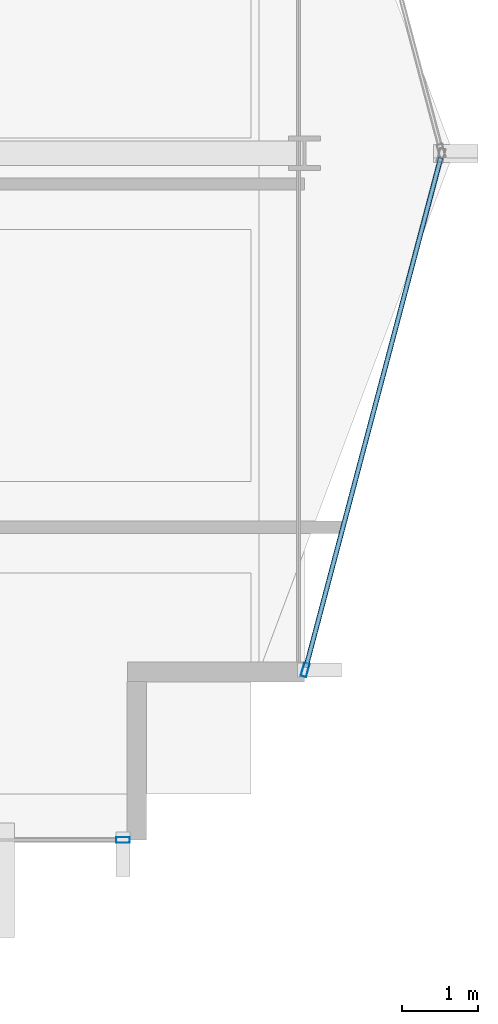
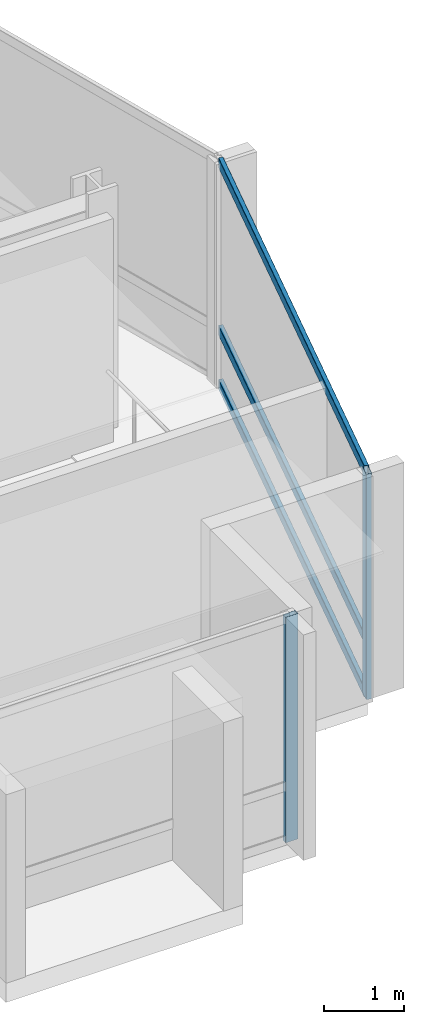
# One storey, part 11 of 29: 5 members, 2 elements without a shape of their own.
"""IFC4 building model written with IfcOpenShell, lengths in metres."""

from ifc_helpers import new_model, si_unit, direction, frame, origin, origin_2d, place, context, subcontext, project, spatial, hollow_rectangle, extrude, material, layer, layer_set, material_profile, profile_set, type_object, element, aggregate, save


model = new_model("IFC4")

# Units and contexts
model_context = context("Model", 3, precision=1e-05, world=origin(), true_north=direction((0.0, 1.0)))
body_context = subcontext(model_context, "Body", "Model", "MODEL_VIEW")
ifc_project = project(units=[si_unit("LENGTHUNIT", "METRE"), si_unit("AREAUNIT", "SQUARE_METRE"), si_unit("VOLUMEUNIT", "CUBIC_METRE"), si_unit("PLANEANGLEUNIT", "RADIAN"), si_unit("MASSUNIT", "GRAM", prefix="KILO")], contexts=[model_context])

# Site, building, storey
site_placement = place(None, origin())
site = spatial("IfcSite", under=ifc_project, at=site_placement, CompositionType="ELEMENT")
building_placement = place(site_placement, origin())
building = spatial("IfcBuilding", under=site, at=building_placement, Name="Solvaryn Broadcast Tower", CompositionType="ELEMENT")
storey_placement = place(building_placement, frame((0.0, 0.0, 121.10009765625)))
storey = spatial("IfcBuildingStorey", under=building, at=storey_placement, Name="L29", CompositionType="ELEMENT", Elevation=121.10009765625)

# Curtain wall, member
ifc_material_1 = material(Name="Aluminium and Terracotta Unitised Curtain Wall", Category="masonry")
ifc_layer = layer(ifc_material_1, 0.199951171875)
ifc_layer_set = layer_set([ifc_layer], Name="CW-SYS2-LOWMID")
curtain_wall_type = type_object("IfcCurtainWallType", Name="CW-SYS2-LOWMID", PredefinedType="NOTDEFINED", material=ifc_layer_set)
curtain_wall_1_placement = place(storey_placement, origin())
curtain_wall_1 = element("IfcCurtainWall", 1, at=curtain_wall_1_placement, inside=storey, type_object=curtain_wall_type, Name="L29 Curtain Wall S2", PredefinedType="NOTDEFINED")
ifc_material_2 = material(Name="Anodised Aluminium 6063-T6", Category="aluminium")
ifc_material_profile_1 = material_profile(ifc_material_2, hollow_rectangle(XDim=0.074951171875, YDim=0.179931640625, WallThickness=0.00390625, InnerFilletRadius=0.00390625, OuterFilletRadius=0.008056640625, at=origin_2d()))
ifc_profile_set_1 = profile_set([ifc_material_profile_1], Name="Anodised Aluminium 6063-T6")
member_type_1 = type_object("IfcMemberType", Name="CW-MUL-180", PredefinedType="MULLION", material=ifc_profile_set_1)
member_1_placement = place(storey_placement, frame((51.6201171875, 9.0, 0.0), z_axis=(0.0, 0.0, 1.0), x_axis=(0.0, 1.0, 0.0)))
member_1 = element("IfcMember", 2, at=member_1_placement, type_object=member_type_1, Name="CWS2 mullion 2", PredefinedType="MULLION", context=body_context, shape_type="SweptSolid", body=[
    extrude(hollow_rectangle(XDim=0.074951171875, YDim=0.179931640625, WallThickness=0.00390625, InnerFilletRadius=0.00390625, OuterFilletRadius=0.008056640625, at=origin_2d()), origin(), (0.0, 0.0, 1.0), 3.419921875),
])
aggregate(curtain_wall_1, [member_1])

# Curtain wall, members
curtain_wall_2_placement = place(storey_placement, origin())
curtain_wall_2 = element("IfcCurtainWall", 3, at=curtain_wall_2_placement, inside=storey, type_object=curtain_wall_type, Name="L29 Curtain Wall ET2", PredefinedType="NOTDEFINED")
member_2_placement = place(storey_placement, frame((54.007568359375, 11.22900390625, 0.0), z_axis=(0.0, 0.0, 1.0), x_axis=(0.966705227863, -0.25589256031, 0.0)))
member_2 = element("IfcMember", 4, at=member_2_placement, type_object=member_type_1, Name="CWS2 mullion 2", PredefinedType="MULLION", context=body_context, shape_type="SweptSolid", body=[
    extrude(hollow_rectangle(XDim=0.074951171875, YDim=0.179931640625, WallThickness=0.00390625, InnerFilletRadius=0.00390625, OuterFilletRadius=0.008056640625, at=origin_2d()), origin(), (0.0, 0.0, 1.0), 3.419921875),
])
ifc_material_3 = material(Name="Anodised Aluminium 6063-T6", Category="aluminium")
ifc_material_profile_2 = material_profile(ifc_material_3, hollow_rectangle(XDim=0.06494140625, YDim=0.14990234375, WallThickness=0.00390625, InnerFilletRadius=0.00390625, OuterFilletRadius=0.008056640625, at=origin_2d()))
ifc_profile_set_2 = profile_set([ifc_material_profile_2], Name="Anodised Aluminium 6063-T6")
member_type_2 = type_object("IfcMemberType", Name="CW-TRN-150", PredefinedType="USERDEFINED", material=ifc_profile_set_2)
member_3_placement = place(storey_placement, frame((55.78466796875, 17.94189453125, 0.02978515625), z_axis=(-0.255897413051, -0.966703943301, 0.0), x_axis=(0.966703943301, -0.255897413051, 0.0)))
member_3 = element("IfcMember", 5, at=member_3_placement, type_object=member_type_2, Name="CWS2 transom 1.1", ObjectType="TRANSOM", PredefinedType="USERDEFINED", context=body_context, shape_type="SweptSolid", body=[
    extrude(hollow_rectangle(XDim=0.06494140625, YDim=0.14990234375, WallThickness=0.00390625, InnerFilletRadius=0.00390625, OuterFilletRadius=0.008056640625, at=origin_2d()), origin(), (0.0, 0.0, 1.0), 6.9140625),
])
member_4_placement = place(storey_placement, frame((55.78466796875, 17.94189453125, 0.849853515625), z_axis=(-0.255897413051, -0.966703943301, 0.0), x_axis=(0.966703943301, -0.255897413051, 0.0)))
member_4 = element("IfcMember", 6, at=member_4_placement, type_object=member_type_2, Name="CWS2 transom 1.2", ObjectType="TRANSOM", PredefinedType="USERDEFINED", context=body_context, shape_type="SweptSolid", body=[
    extrude(hollow_rectangle(XDim=0.06494140625, YDim=0.14990234375, WallThickness=0.00390625, InnerFilletRadius=0.00390625, OuterFilletRadius=0.008056640625, at=origin_2d()), origin(), (0.0, 0.0, 1.0), 6.9140625),
])
member_5_placement = place(storey_placement, frame((55.78466796875, 17.94189453125, 3.389892578125), z_axis=(-0.255897413051, -0.966703943301, 0.0), x_axis=(0.966703943301, -0.255897413051, 0.0)))
member_5 = element("IfcMember", 7, at=member_5_placement, type_object=member_type_2, Name="CWS2 transom 1.3", ObjectType="TRANSOM", PredefinedType="USERDEFINED", context=body_context, shape_type="SweptSolid", body=[
    extrude(hollow_rectangle(XDim=0.06494140625, YDim=0.14990234375, WallThickness=0.00390625, InnerFilletRadius=0.00390625, OuterFilletRadius=0.008056640625, at=origin_2d()), origin(), (0.0, 0.0, 1.0), 6.9140625),
])
aggregate(curtain_wall_2, [member_2, member_3, member_4, member_5])

save(model, "model.ifc")
